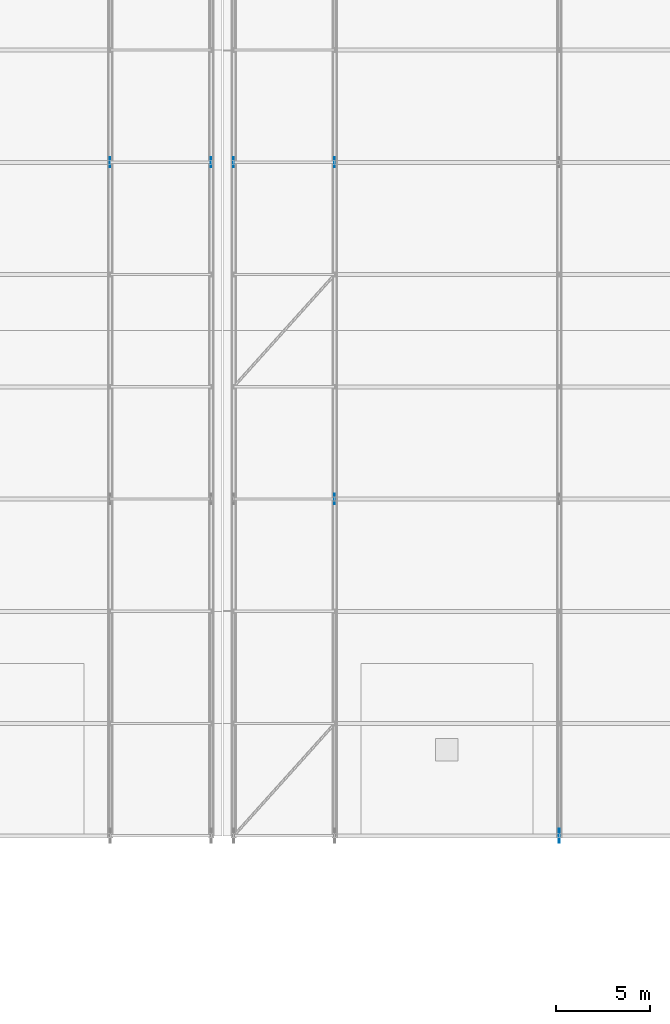
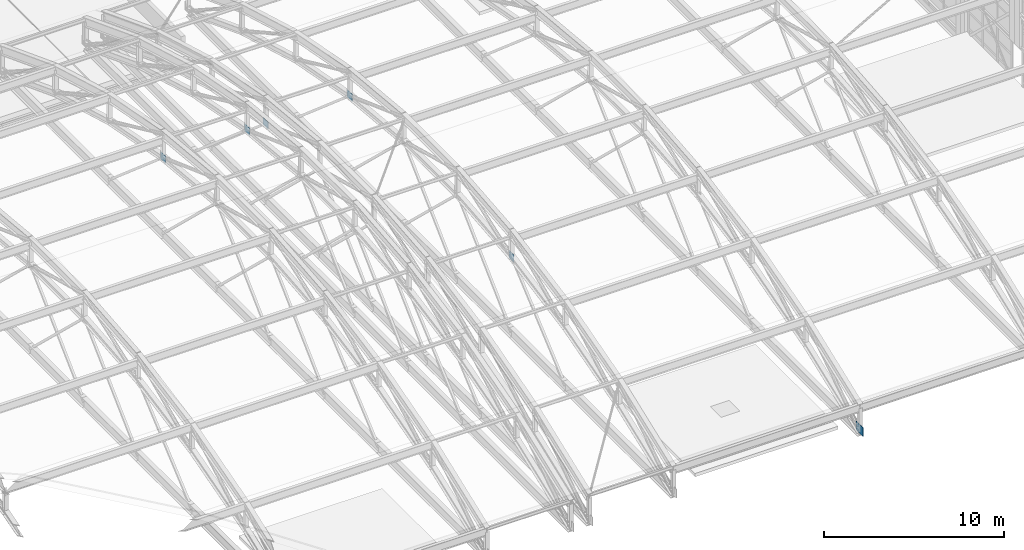
# One storey, part 188 of 204: 6 plates.
"""IFC4 building model written with IfcOpenShell, lengths in metres."""

from ifc_helpers import new_model, si_unit, direction, frame, origin, origin_2d, place, context, subcontext, project, spatial, rectangle, extrude, material, layer, layer_set, type_object, element, save


model = new_model("IFC4")

# Units and contexts
model_context = context("Model", 3, precision=1e-05, world=origin(), true_north=direction((0.0, 1.0)))
body_context = subcontext(model_context, "Body", "Model", "MODEL_VIEW")
ifc_project = project(units=[si_unit("LENGTHUNIT", "METRE"), si_unit("AREAUNIT", "SQUARE_METRE"), si_unit("VOLUMEUNIT", "CUBIC_METRE"), si_unit("PLANEANGLEUNIT", "RADIAN"), si_unit("MASSUNIT", "GRAM", prefix="KILO")], contexts=[model_context])

# Site, building, storey
site_placement = place(None, origin())
site = spatial("IfcSite", under=ifc_project, at=site_placement, CompositionType="ELEMENT")
building_placement = place(site_placement, origin())
building = spatial("IfcBuilding", under=site, at=building_placement, Name="Zilviju Railside Exhibition Hall", CompositionType="ELEMENT")
storey_placement = place(building_placement, frame((0.0, 0.0, 21.0)))
storey = spatial("IfcBuildingStorey", under=building, at=storey_placement, Name="RF", CompositionType="ELEMENT", Elevation=21.0)

# Plates
ifc_material = material(Name="Steel S355ML", Category="steel")
ifc_layer_1 = layer(ifc_material, 0.02392578125)
ifc_layer_set_1 = layer_set([ifc_layer_1], Name="Steel S355ML")
plate_type_1 = type_object("IfcPlateType", Name="PLATE-GP-24", PredefinedType="SHEET", material=ifc_layer_set_1)
plate_1_placement = place(storey_placement, frame((180.0, 102.0, 1.3056640625), z_axis=(0.0, 0.0, 1.0), x_axis=(1.0, 0.0, 0.0)))
element("IfcPlate", 1, at=plate_1_placement, inside=storey, type_object=plate_type_1, Name="V2 Truss Node Gusset Plate X=180.0 N3", PredefinedType="SHEET", context=body_context, shape_type="SweptSolid", body=[
    extrude(rectangle(XDim=0.02392578125, YDim=0.550048828125, at=origin_2d()), origin(), (0.0, 0.0, 1.0), 0.5),
])
ifc_layer_2 = layer(ifc_material, 0.028076171875)
ifc_layer_set_2 = layer_set([ifc_layer_2], Name="Steel S355ML")
plate_type_2 = type_object("IfcPlateType", Name="PLATE-GP-28", PredefinedType="SHEET", material=ifc_layer_set_2)
for number, where, z_axis, x_axis, name in (
    (2, (168.0, 120.0, 1.3056640625), (0.0, 0.0, 1.0), (1.0, 0.0, 0.0), "V2 Truss Node Gusset Plate X=168.0 N6"),
    (3, (173.39990234375, 120.0, 1.3056640625), (0.0, 0.0, 1.0), (1.0, 0.0, 0.0), "V2 Truss Node Gusset Plate X=173.4 N6"),
    (4, (174.60009765625, 120.0, 1.3056640625), (0.0, 0.0, 1.0), (1.0, 0.0, 0.0), "V2 Truss Node Gusset Plate X=174.6 N6"),
    (5, (180.0, 120.0, 1.3056640625), (0.0, 0.0, 1.0), (1.0, 0.0, 0.0), "V2 Truss Node Gusset Plate X=180.0 N6"),
):
    element("IfcPlate", number, at=place(storey_placement, frame(where, z_axis=z_axis, x_axis=x_axis)), inside=storey, type_object=plate_type_2, Name=name, PredefinedType="SHEET", context=body_context, shape_type="SweptSolid", body=[
        extrude(rectangle(XDim=0.028076171875, YDim=0.550048828125, at=origin_2d()), origin(), (0.0, 0.0, 1.0), 0.5),
    ])
ifc_layer_3 = layer(ifc_material, 0.034912109375)
ifc_layer_set_3 = layer_set([ifc_layer_3], Name="Steel S355ML")
plate_type_3 = type_object("IfcPlateType", Name="PLATE-GP-35", PredefinedType="SHEET", material=ifc_layer_set_3)
plate_2_placement = place(storey_placement, frame((192.0, 84.0, -3.75), z_axis=(0.0, 0.0, 1.0), x_axis=(1.0, 0.0, 0.0)))
element("IfcPlate", 6, at=plate_2_placement, inside=storey, type_object=plate_type_3, Name="V2 Arch Pin-Shoe Gusset Plate X=192.0", PredefinedType="SHEET", context=body_context, shape_type="SweptSolid", body=[
    extrude(rectangle(XDim=0.034912109375, YDim=0.75, at=origin_2d()), origin(), (0.0, 0.0, 1.0), 0.60009765625),
])

save(model, "model.ifc")
